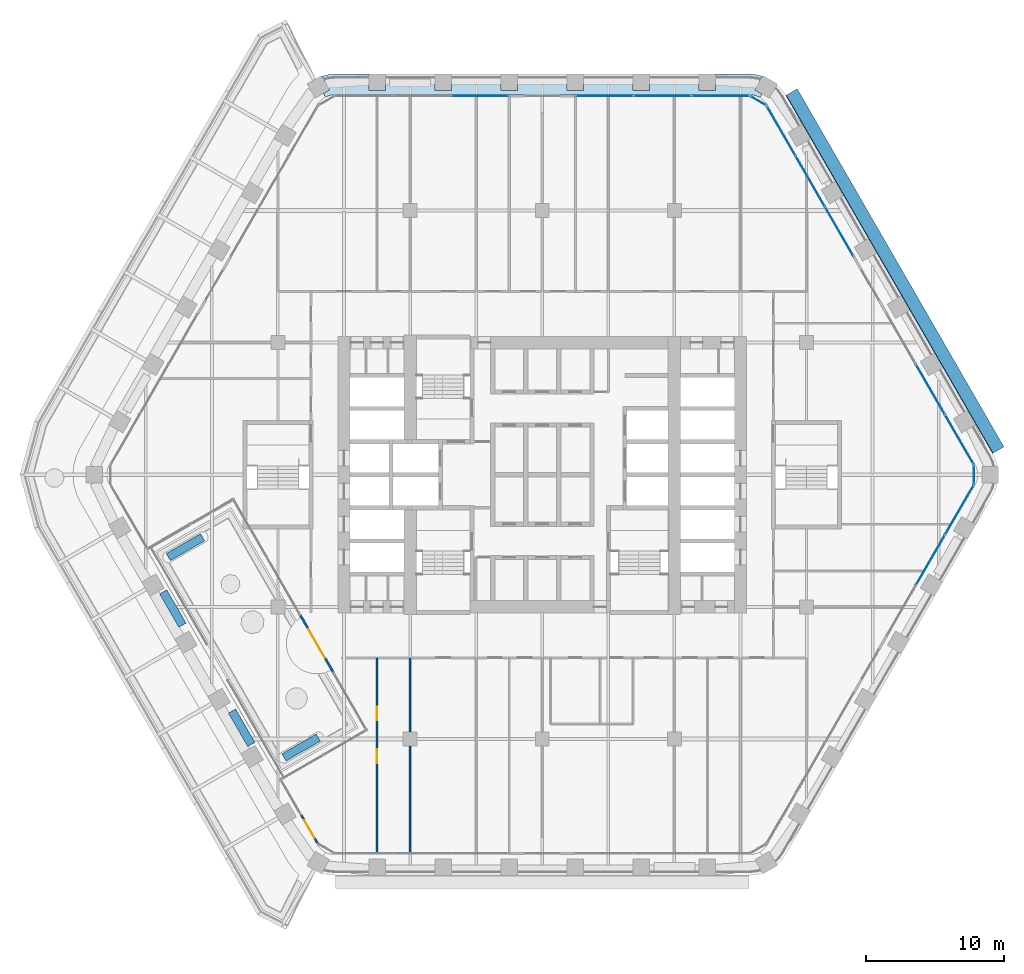
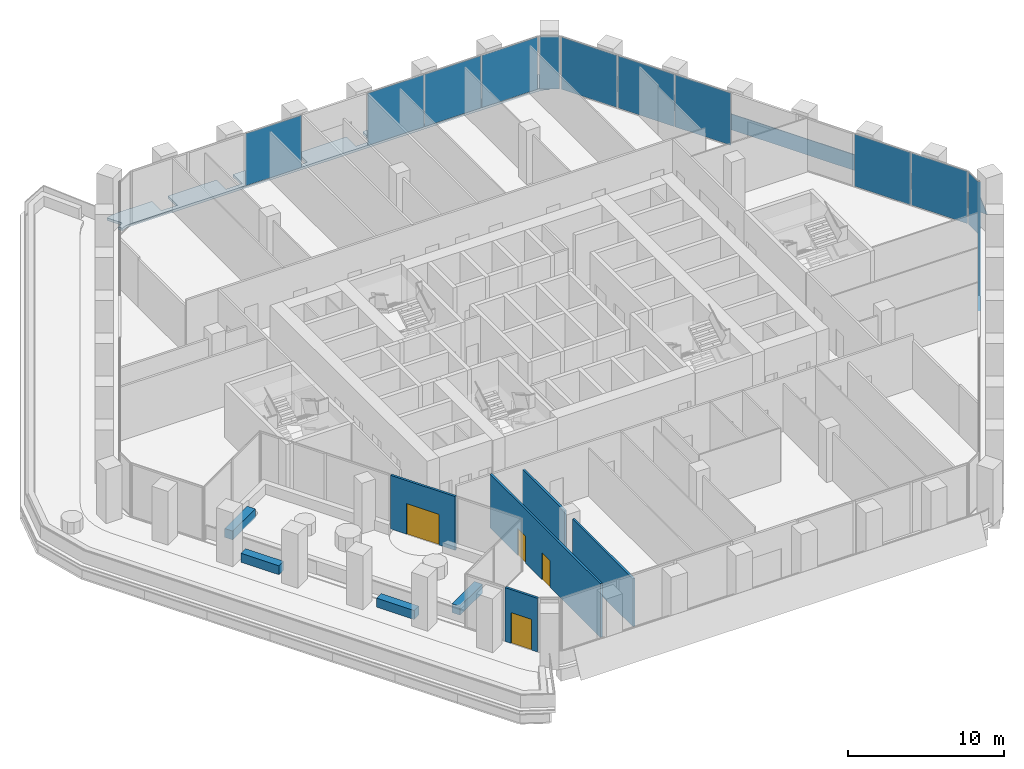
# One storey, part 14 of 27: 14 plates, 9 walls, 4 doors, 1 slab, 4 openings, 7 elements without a shape of their own.
"""IFC4 building model written with IfcOpenShell, lengths in metres."""

import ifcopenshell
import ifcopenshell.guid

model = None  # the IFC model being written
_history = None  # IfcOwnerHistory: only IFC2X3 demands one
_inside = {}  # id of a spatial element -> (the spatial element, [elements in it])
_under = {}  # id of a project, library or spatial element -> (it, [spatial elements below it])
_declared = {}  # id of a project -> (the project, [libraries it declares])
_typed = {}  # id of a type object -> (the type object, [elements of that type])
_made_of = {}  # id of a material, layer set ... -> (it, [elements and type objects made of it])


def new_model(schema):
    """Start an empty IFC model of exactly this schema.

    Asked for "IFC4X3", IfcOpenShell would pick the latest addendum, in which some entities
    have other attributes; the version numbers below select the first issue.
    IFC2X3 requires an IfcOwnerHistory on every rooted entity: one is made here for all.
    """
    global model, _history
    if schema == "IFC4X3":
        model = ifcopenshell.file(schema_version=(4, 3, 0, 0))
    else:
        model = ifcopenshell.file(schema=schema)
    _inside.clear()
    _under.clear()
    _declared.clear()
    _typed.clear()
    _made_of.clear()
    _history = None
    if model.schema == "IFC2X3":
        org = make("IfcOrganization", Name="unknown")
        user = make(
            "IfcPersonAndOrganization",
            ThePerson=make("IfcPerson", FamilyName="unknown"),
            TheOrganization=org,
        )
        app = make(
            "IfcApplication",
            ApplicationDeveloper=org,
            Version="unknown",
            ApplicationFullName="unknown",
            ApplicationIdentifier="unknown",
        )
        _history = make(
            "IfcOwnerHistory",
            OwningUser=user,
            OwningApplication=app,
            ChangeAction="ADDED",
            CreationDate=0,
        )
    return model


def make(cls, **values):
    """One entity of the class cls with the attributes given. An attribute that is None is left unset."""
    return model.create_entity(
        cls, **{name: value for name, value in values.items() if value is not None}
    )


def rooted(cls, **values):
    """An entity with a GlobalId (a new one), such as an element, a storey or a relation."""
    return make(cls, GlobalId=ifcopenshell.guid.new(), OwnerHistory=_history, **values)


def si_unit(unit_type, name, prefix=None):
    """IfcSIUnit, for example si_unit("LENGTHUNIT", "METRE", prefix="MILLI")."""
    return make("IfcSIUnit", UnitType=unit_type, Prefix=prefix, Name=name)


def assignment(units):
    """IfcUnitAssignment: the units of a project."""
    return None if units is None else make("IfcUnitAssignment", Units=units)


def point(xyz):
    """IfcCartesianPoint."""
    return None if xyz is None else make("IfcCartesianPoint", Coordinates=xyz)


def direction(xyz):
    """IfcDirection."""
    return None if xyz is None else make("IfcDirection", DirectionRatios=xyz)


def frame(location, z_axis=None, x_axis=None):
    """IfcAxis2Placement3D, a coordinate frame: its origin and axes. An axis left out is left unset."""
    return make(
        "IfcAxis2Placement3D",
        Location=point(location),
        Axis=direction(z_axis),
        RefDirection=direction(x_axis),
    )


def frame_2d(location, x_axis=None):
    """IfcAxis2Placement2D, a coordinate frame in the plane: its origin and x axis."""
    return make(
        "IfcAxis2Placement2D", Location=point(location), RefDirection=direction(x_axis)
    )


def origin():
    """The frame at (0, 0, 0) with its axes left unset."""
    return frame((0.0, 0.0, 0.0))


def origin_2d():
    """The frame at (0, 0) in the plane with its x axis left unset."""
    return frame_2d((0.0, 0.0))


def place(relative_to, where):
    """IfcLocalPlacement: puts the frame where relative to a parent placement (None: the world)."""
    return make(
        "IfcLocalPlacement", PlacementRelTo=relative_to, RelativePlacement=where
    )


def context(
    kind, dimensions, precision=None, world=None, true_north=None, identifier=None
):
    """IfcGeometricRepresentationContext, for example the 3D "Model" context."""
    return make(
        "IfcGeometricRepresentationContext",
        ContextIdentifier=identifier,
        ContextType=kind,
        CoordinateSpaceDimension=dimensions,
        Precision=precision,
        WorldCoordinateSystem=world,
        TrueNorth=true_north,
    )


def subcontext(parent, identifier, kind, view, scale=None):
    """IfcGeometricRepresentationSubContext, for example "Body" below "Model"."""
    return make(
        "IfcGeometricRepresentationSubContext",
        ContextIdentifier=identifier,
        ContextType=kind,
        ParentContext=parent,
        TargetScale=scale,
        TargetView=view,
    )


def project(units=None, contexts=None):
    """IfcProject with its units and contexts."""
    return rooted(
        "IfcProject",
        Name="project",
        RepresentationContexts=contexts,
        UnitsInContext=assignment(units),
    )


def spatial(cls, under=None, at=None, **own):
    """A site, building, storey or space (cls), placed at a placement, below another one or the project."""
    s = rooted(cls, ObjectPlacement=at, **own)
    if under is not None:
        _under.setdefault(under.id(), (under, []))[1].append(s)
    return s


def polyline(points):
    """IfcPolyline through the points."""
    return make("IfcPolyline", Points=[point(p) for p in points])


def profile(cls, at=None, kind="AREA", **sizes):
    """A parametric profile (cls). Its sizes go by their IFC names, for example OverallWidth=200.0."""
    return make(cls, ProfileType=kind, Position=at, **sizes)


def rectangle(**sizes):
    """IfcRectangleProfileDef."""
    return profile("IfcRectangleProfileDef", **sizes)


def outline(outer, holes=None, kind="AREA"):
    """IfcArbitraryClosedProfileDef: a profile drawn as a closed curve; with holes, ...WithVoids."""
    if holes is None:
        return make("IfcArbitraryClosedProfileDef", ProfileType=kind, OuterCurve=outer)
    return make(
        "IfcArbitraryProfileDefWithVoids",
        ProfileType=kind,
        OuterCurve=outer,
        InnerCurves=holes,
    )


def extrude(swept, where, along, depth):
    """IfcExtrudedAreaSolid: the profile swept, set in the frame where, extruded along a direction by depth."""
    return make(
        "IfcExtrudedAreaSolid",
        SweptArea=swept,
        Position=where,
        ExtrudedDirection=direction(along),
        Depth=depth,
    )


def shape(context_of_items, identifier, shape_type, items):
    """IfcShapeRepresentation: the items that make up one representation, for example the "Body"."""
    return make(
        "IfcShapeRepresentation",
        ContextOfItems=context_of_items,
        RepresentationIdentifier=identifier,
        RepresentationType=shape_type,
        Items=items,
    )


def material(Name=None, Category=None):
    """IfcMaterial."""
    return make("IfcMaterial", Name=Name, Category=Category)


def layer(
    of_material, thickness, ventilated=None, Name=None, Category=None, Priority=None
):
    """IfcMaterialLayer: one layer of a wall or slab, of a material (None: an air gap)."""
    return make(
        "IfcMaterialLayer",
        Material=of_material,
        LayerThickness=thickness,
        IsVentilated=ventilated,
        Name=Name,
        Category=Category,
        Priority=Priority,
    )


def layer_set(layers, Name=None):
    """IfcMaterialLayerSet."""
    return make("IfcMaterialLayerSet", MaterialLayers=layers, LayerSetName=Name)


def made_of(thing, what):
    """Note that an element or type object is made of a material, layer set ...; save() writes the relation."""
    if what is not None:
        _made_of.setdefault(what.id(), (what, []))[1].append(thing)
    return thing


def type_object(cls, material=None, **own):
    """A type object (cls), such as IfcWallType, which elements share."""
    return made_of(rooted(cls, **own), material)


def element(
    cls,
    number,
    at=None,
    inside=None,
    cuts=None,
    type_object=None,
    material=None,
    context=None,
    identifier="Body",
    shape_type=None,
    held_by="IfcProductDefinitionShape",
    body=None,
    shapes=None,
    **own,
):
    """One element of the class cls, such as IfcWall. Its Tag is "e" and its number.

    at: its placement. inside: the storey or other place that contains it. cuts: it is an
    opening in that element (IfcRelVoidsElement). A single representation is given by context,
    identifier, shape_type and body (its items); several are given by shapes. held_by: the class
    of the entity that holds the representations. save() writes the other relations.
    """
    e = rooted(cls, Tag="e%d" % number, ObjectPlacement=at, **own)
    if body is not None:
        shapes = [shape(context, identifier, shape_type, body)]
    if shapes is not None:
        e.Representation = make(held_by, Representations=shapes)
    if inside is not None:
        _inside.setdefault(inside.id(), (inside, []))[1].append(e)
    if cuts is not None:
        rooted(
            "IfcRelVoidsElement", RelatingBuildingElement=cuts, RelatedOpeningElement=e
        )
    if type_object is not None:
        _typed.setdefault(type_object.id(), (type_object, []))[1].append(e)
    return made_of(e, material)


def fill(opening, filler):
    """IfcRelFillsElement: the door or window that sits in an opening."""
    return rooted(
        "IfcRelFillsElement",
        RelatingOpeningElement=opening,
        RelatedBuildingElement=filler,
    )


def aggregate(whole, parts):
    """IfcRelAggregates: a whole, such as a stair, and the parts it consists of."""
    return rooted("IfcRelAggregates", RelatingObject=whole, RelatedObjects=parts)


def save(model, path):
    """Write the relations noted so far, then the file.

    IfcRelAggregates (storeys below a building ...), IfcRelContainedInSpatialStructure (elements
    in a storey), IfcRelDefinesByType, IfcRelAssociatesMaterial and IfcRelDeclares: one each for
    every whole, place, type object, material and project.
    """
    for whole, parts in _under.values():
        aggregate(whole, parts)
    for where, things in _inside.values():
        rooted(
            "IfcRelContainedInSpatialStructure",
            RelatedElements=things,
            RelatingStructure=where,
        )
    for kind, things in _typed.values():
        rooted("IfcRelDefinesByType", RelatedObjects=things, RelatingType=kind)
    for what, things in _made_of.values():
        rooted("IfcRelAssociatesMaterial", RelatedObjects=things, RelatingMaterial=what)
    for by, libraries in _declared.values():
        rooted("IfcRelDeclares", RelatingContext=by, RelatedDefinitions=libraries)
    model.write(path)


model = new_model("IFC4")

# Units and contexts
model_context = context("Model", 3, precision=1e-05, world=origin(), true_north=direction((0.0, 1.0)))
body_context = subcontext(model_context, "Body", "Model", "MODEL_VIEW")
ifc_project = project(units=[si_unit("LENGTHUNIT", "METRE"), si_unit("AREAUNIT", "SQUARE_METRE"), si_unit("VOLUMEUNIT", "CUBIC_METRE"), si_unit("PLANEANGLEUNIT", "RADIAN"), si_unit("MASSUNIT", "GRAM", prefix="KILO")], contexts=[model_context])

# Site, building, storey
site_placement = place(None, origin())
site = spatial("IfcSite", under=ifc_project, at=site_placement, CompositionType="ELEMENT")
building_placement = place(site_placement, origin())
building = spatial("IfcBuilding", under=site, at=building_placement, Name="Kolab Exchange Tower", CompositionType="ELEMENT")
storey_placement = place(building_placement, frame((0.0, 0.0, 122.89990234375)))
storey = spatial("IfcBuildingStorey", under=building, at=storey_placement, Name="L24", CompositionType="ELEMENT", Elevation=122.89990234375)

# Slab
ifc_material_1 = material(Name="Concrete C35/45", Category="concrete")
ifc_layer_1 = layer(ifc_material_1, 0.199951171875)
ifc_layer_set_1 = layer_set([ifc_layer_1], Name="Concrete C35/45")
slab_type = type_object("IfcSlabType", Name="LOGGIA SLAB 200", PredefinedType="FLOOR", material=ifc_layer_set_1)
slab_placement = place(storey_placement, frame((0.0, 0.0, -0.199951171875)))
element("IfcSlab", 1, at=slab_placement, inside=storey, type_object=slab_type, Name="slab/L24/loggia/0-0", PredefinedType="FLOOR", context=body_context, shape_type="SweptSolid", body=[
    extrude(outline(polyline([(15.5810546875, 27.508056640625), (15.81787109375, 27.3974609375), (15.968017578125, 27.6572265625), (15.4482421875, 27.957275390625), (16.014892578125, 28.938720703125), (15.5888671875, 29.052978515625), (15.06787109375, 29.098388671875), (12.60009765625, 29.098388671875), (12.60009765625, 27.8984375), (11.39990234375, 27.8984375), (11.39990234375, 29.098388671875), (7.800048828125, 29.098388671875), (7.800048828125, 27.8984375), (6.60009765625, 27.8984375), (6.60009765625, 29.098388671875), (3.0, 29.098388671875), (3.0, 27.8984375), (1.800048828125, 27.8984375), (1.800048828125, 29.098388671875), (-1.800048828125, 29.098388671875), (-1.800048828125, 27.8984375), (-3.0, 27.8984375), (-3.0, 29.098388671875), (-6.60009765625, 29.098388671875), (-6.60009765625, 27.8984375), (-7.800048828125, 27.8984375), (-7.800048828125, 29.098388671875), (-11.39990234375, 29.098388671875), (-11.39990234375, 27.8984375), (-12.60009765625, 27.8984375), (-12.60009765625, 29.098388671875), (-15.06787109375, 29.098388671875), (-15.5888671875, 29.052978515625), (-16.014892578125, 28.938720703125), (-15.4482421875, 27.957275390625), (-15.88916015625, 27.702880859375), (-15.7490234375, 27.4296875), (-15.5810546875, 27.508056640625), (-15.328369140625, 27.57568359375), (-15.06787109375, 27.598388671875), (15.06787109375, 27.598388671875), (15.328369140625, 27.57568359375), (15.5810546875, 27.508056640625)])), origin(), (0.0, 0.0, 1.0), 0.199951171875),
])

# Plate
ifc_material_2 = material(Name="Laminated glass, clear", Category="glass")
ifc_layer_2 = layer(ifc_material_2, 0.0400390625)
ifc_layer_set_2 = layer_set([ifc_layer_2], Name="Laminated glass, clear")
plate_type_1 = type_object("IfcPlateType", Name="OUTER SKIN LAMINATED GLASS SHEET 40", PredefinedType="SHEET", material=ifc_layer_set_2)
plate_1_placement = place(storey_placement, frame((18.52197265625, 28.034912109375, -0.73291015625), z_axis=(0.784883850033, 0.453158743345, 0.422616250619), x_axis=(0.500004833813, -0.866022612963, 0.0)))
element("IfcPlate", 2, at=plate_1_placement, inside=storey, type_object=plate_type_1, Name="Outer skin", PredefinedType="SHEET", context=body_context, shape_type="SweptSolid", body=[
    extrude(outline(polyline([(0.0, 0.0), (30.03584243718888, -8.881784197001252e-16), (30.035874890893574, -2.1846644686224357), (3.245370469279196e-05, -2.184664468622435), (0.0, 0.0)])), origin(), (0.0, 0.0, -1.0), 0.0400390625),
])

# Curtain wall, plate
ifc_material_3 = material(Name="Aluminium EN AW-6063 T6", Category="aluminium")
curtain_wall_type = type_object("IfcCurtainWallType", Name="UNITISED LOWER MID ZONE CURTAIN WALL", PredefinedType="NOTDEFINED", material=ifc_material_3)
curtain_wall_1_placement = place(storey_placement, origin())
curtain_wall_1 = element("IfcCurtainWall", 3, at=curtain_wall_1_placement, inside=storey, type_object=curtain_wall_type, Name="cw/L24/F1-1", PredefinedType="NOTDEFINED")
ifc_material_4 = material(Name="Clear insulated glazing unit", Category="glass")
ifc_layer_3 = layer(ifc_material_4, 0.02587890625)
ifc_layer_set_3 = layer_set([ifc_layer_3], Name="Clear insulated glazing unit")
plate_type_2 = type_object("IfcPlateType", Name="UNITISED LOWER MID ZONE GLASS PANEL 26", PredefinedType="CURTAIN_PANEL", material=ifc_layer_set_3)
plate_2_placement = place(storey_placement, frame((-4.5263671875, 27.5185546875, 0.06005859375), z_axis=(0.0, 0.0, 1.0), x_axis=(1.0, 0.0, 0.0)))
plate_2 = element("IfcPlate", 4, at=plate_2_placement, type_object=plate_type_2, Name="CW2 panel 3.1", PredefinedType="CURTAIN_PANEL", context=body_context, shape_type="SweptSolid", body=[
    extrude(rectangle(XDim=4.132568359375, YDim=0.02587890625, at=origin_2d()), origin(), (0.0, 0.0, 1.0), 4.080078125),
])
aggregate(curtain_wall_1, [plate_2])

# Curtain wall, plates
curtain_wall_2_placement = place(storey_placement, origin())
curtain_wall_2 = element("IfcCurtainWall", 5, at=curtain_wall_2_placement, inside=storey, type_object=curtain_wall_type, Name="cw/L24/F1-2", PredefinedType="NOTDEFINED")
plate_3_placement = place(storey_placement, frame((4.5263671875, 27.5185546875, 0.06005859375), z_axis=(0.0, 0.0, 1.0), x_axis=(1.0, 0.0, 0.0)))
plate_3 = element("IfcPlate", 6, at=plate_3_placement, type_object=plate_type_2, Name="CW2 panel 1.1", PredefinedType="CURTAIN_PANEL", context=body_context, shape_type="SweptSolid", body=[
    extrude(rectangle(XDim=4.132568359375, YDim=0.02587890625, at=origin_2d()), origin(), (0.0, 0.0, 1.0), 4.080078125),
])
plate_4_placement = place(storey_placement, frame((8.73388671875, 27.5185546875, 0.06005859375), z_axis=(0.0, 0.0, 1.0), x_axis=(1.0, 0.0, 0.0)))
plate_4 = element("IfcPlate", 7, at=plate_4_placement, type_object=plate_type_2, Name="CW2 panel 2.1", PredefinedType="CURTAIN_PANEL", context=body_context, shape_type="SweptSolid", body=[
    extrude(rectangle(XDim=4.16259765625, YDim=0.02587890625, at=origin_2d()), origin(), (0.0, 0.0, 1.0), 4.080078125),
])
plate_5_placement = place(storey_placement, frame((12.941650390625, 27.5185546875, 0.06005859375), z_axis=(0.0, 0.0, 1.0), x_axis=(1.0, 0.0, 0.0)))
plate_5 = element("IfcPlate", 8, at=plate_5_placement, type_object=plate_type_2, Name="CW2 panel 3.1", PredefinedType="CURTAIN_PANEL", context=body_context, shape_type="SweptSolid", body=[
    extrude(rectangle(XDim=4.132568359375, YDim=0.02587890625, at=origin_2d()), origin(), (0.0, 0.0, 1.0), 4.080078125),
])
aggregate(curtain_wall_2, [plate_3, plate_4, plate_5])

curtain_wall_3_placement = place(storey_placement, origin())
curtain_wall_3 = element("IfcCurtainWall", 9, at=curtain_wall_3_placement, inside=storey, type_object=curtain_wall_type, Name="cw/L24/F2-1", PredefinedType="NOTDEFINED")
plate_6_placement = place(storey_placement, frame((17.36083984375, 24.967041015625, 0.06005859375), z_axis=(0.0, 0.0, 1.0), x_axis=(0.500000017564, -0.866025393644, 0.0)))
plate_6 = element("IfcPlate", 10, at=plate_6_placement, type_object=plate_type_2, Name="CW2 panel 1.1", PredefinedType="CURTAIN_PANEL", context=body_context, shape_type="SweptSolid", body=[
    extrude(rectangle(XDim=4.132568359375, YDim=0.02587890625, at=origin_2d()), origin(), (0.0, 0.0, 1.0), 4.080078125),
])
plate_7_placement = place(storey_placement, frame((19.464599609375, 21.322998046875, 0.06005859375), z_axis=(0.0, 0.0, 1.0), x_axis=(0.500000017564, -0.866025393644, 0.0)))
plate_7 = element("IfcPlate", 11, at=plate_7_placement, type_object=plate_type_2, Name="CW2 panel 2.1", PredefinedType="CURTAIN_PANEL", context=body_context, shape_type="SweptSolid", body=[
    extrude(rectangle(XDim=4.16259765625, YDim=0.02587890625, at=origin_2d()), origin(), (0.0, 0.0, 1.0), 4.080078125),
])
plate_8_placement = place(storey_placement, frame((21.568603515625, 17.67919921875, 0.06005859375), z_axis=(0.0, 0.0, 1.0), x_axis=(0.500000017564, -0.866025393644, 0.0)))
plate_8 = element("IfcPlate", 12, at=plate_8_placement, type_object=plate_type_2, Name="CW2 panel 3.1", PredefinedType="CURTAIN_PANEL", context=body_context, shape_type="SweptSolid", body=[
    extrude(rectangle(XDim=4.132568359375, YDim=0.02587890625, at=origin_2d()), origin(), (0.0, 0.0, 1.0), 4.080078125),
])
aggregate(curtain_wall_3, [plate_6, plate_7, plate_8])

curtain_wall_4_placement = place(storey_placement, origin())
curtain_wall_4 = element("IfcCurtainWall", 13, at=curtain_wall_4_placement, inside=storey, type_object=curtain_wall_type, Name="cw/L24/F2-2", PredefinedType="NOTDEFINED")
plate_9_placement = place(storey_placement, frame((28.19873046875, 6.1953125, 0.06005859375), z_axis=(0.0, 0.0, 1.0), x_axis=(0.499999958358, -0.866025427826, 0.0)))
plate_9 = element("IfcPlate", 14, at=plate_9_placement, type_object=plate_type_2, Name="CW2 panel 2.1", PredefinedType="CURTAIN_PANEL", context=body_context, shape_type="SweptSolid", body=[
    extrude(rectangle(XDim=4.16259765625, YDim=0.02587890625, at=origin_2d()), origin(), (0.0, 0.0, 1.0), 4.080078125),
])
plate_10_placement = place(storey_placement, frame((30.302490234375, 2.551513671875, 0.06005859375), z_axis=(0.0, 0.0, 1.0), x_axis=(0.499999958358, -0.866025427826, 0.0)))
plate_10 = element("IfcPlate", 15, at=plate_10_placement, type_object=plate_type_2, Name="CW2 panel 3.1", PredefinedType="CURTAIN_PANEL", context=body_context, shape_type="SweptSolid", body=[
    extrude(rectangle(XDim=4.132568359375, YDim=0.02587890625, at=origin_2d()), origin(), (0.0, 0.0, 1.0), 4.080078125),
])
aggregate(curtain_wall_4, [plate_9, plate_10])

curtain_wall_5_placement = place(storey_placement, origin())
curtain_wall_5 = element("IfcCurtainWall", 16, at=curtain_wall_5_placement, inside=storey, type_object=curtain_wall_type, Name="cw/L24/F3-1", PredefinedType="NOTDEFINED")
plate_11_placement = place(storey_placement, frame((30.302490234375, -2.551513671875, 0.06005859375), z_axis=(0.0, 0.0, 1.0), x_axis=(-0.499999958358, -0.866025427826, 0.0)))
plate_11 = element("IfcPlate", 17, at=plate_11_placement, type_object=plate_type_2, Name="CW2 panel 1.1", PredefinedType="CURTAIN_PANEL", context=body_context, shape_type="SweptSolid", body=[
    extrude(rectangle(XDim=4.132568359375, YDim=0.02587890625, at=origin_2d()), origin(), (0.0, 0.0, 1.0), 4.080078125),
])
plate_12_placement = place(storey_placement, frame((28.19873046875, -6.1953125, 0.06005859375), z_axis=(0.0, 0.0, 1.0), x_axis=(-0.499999958358, -0.866025427826, 0.0)))
plate_12 = element("IfcPlate", 18, at=plate_12_placement, type_object=plate_type_2, Name="CW2 panel 2.1", PredefinedType="CURTAIN_PANEL", context=body_context, shape_type="SweptSolid", body=[
    extrude(rectangle(XDim=4.16259765625, YDim=0.02587890625, at=origin_2d()), origin(), (0.0, 0.0, 1.0), 4.080078125),
])
aggregate(curtain_wall_5, [plate_11, plate_12])

# Curtain wall, plate
curtain_wall_6_placement = place(storey_placement, origin())
curtain_wall_6 = element("IfcCurtainWall", 19, at=curtain_wall_6_placement, inside=storey, type_object=curtain_wall_type, Name="cw/L24/F1F2-corner", PredefinedType="NOTDEFINED")
plate_13_placement = place(storey_placement, frame((15.682861328125, 27.16357421875, 0.06005859375), z_axis=(0.0, 0.0, 1.0), x_axis=(0.866025390869, -0.50000002237, 0.0)))
plate_13 = element("IfcPlate", 20, at=plate_13_placement, type_object=plate_type_2, Name="CW2 panel 1.1", PredefinedType="CURTAIN_PANEL", context=body_context, shape_type="SweptSolid", body=[
    extrude(rectangle(XDim=1.300048828125, YDim=0.02587890625, at=origin_2d()), origin(), (0.0, 0.0, 1.0), 4.080078125),
])
aggregate(curtain_wall_6, [plate_13])

curtain_wall_7_placement = place(storey_placement, origin())
curtain_wall_7 = element("IfcCurtainWall", 21, at=curtain_wall_7_placement, inside=storey, type_object=curtain_wall_type, Name="cw/L24/F2F3-corner", PredefinedType="NOTDEFINED")
plate_14_placement = place(storey_placement, frame((31.36572265625, 0.0, 0.06005859375), z_axis=(0.0, 0.0, 1.0), x_axis=(0.0, -1.0, 0.0)))
plate_14 = element("IfcPlate", 22, at=plate_14_placement, type_object=plate_type_2, Name="CW2 panel 1.1", PredefinedType="CURTAIN_PANEL", context=body_context, shape_type="SweptSolid", body=[
    extrude(rectangle(XDim=1.300048828125, YDim=0.02587890625, at=origin_2d()), origin(), (0.0, 0.0, 1.0), 4.080078125),
])
aggregate(curtain_wall_7, [plate_14])

# Wall, opening, door
ifc_layer_4 = layer(ifc_material_3, 0.159912109375)
ifc_layer_set_4 = layer_set([ifc_layer_4], Name="Aluminium EN AW-6063 T6")
wall_type_1 = type_object("IfcWallType", Name="DOOR SURROUND WALL 160 ALUMINIUM FRAMED", PredefinedType="PARTITIONING", material=ifc_layer_set_4)
wall_1_placement = place(storey_placement, frame((-16.312744140625, -26.782470703125, 0.0), z_axis=(0.0, 0.0, 1.0), x_axis=(-0.500001309137, 0.866024647952, 0.0)))
wall_1 = element("IfcWall", 23, at=wall_1_placement, inside=storey, type_object=wall_type_1, Name="Door surround wall", PredefinedType="PARTITIONING", context=body_context, shape_type="SweptSolid", body=[
    extrude(rectangle(XDim=2.39990234375, YDim=0.159912109375, at=frame_2d((1.199951171875, 0.0))), origin(), (0.0, 0.0, 1.0), 4.2001953125),
])
opening_1_placement = place(wall_1_placement, frame((0.449951171875, 0.0, 0.0)))
opening_1 = element("IfcOpeningElement", 24, at=opening_1_placement, cuts=wall_1, Name="Opening GD2-005", PredefinedType="OPENING", context=body_context, shape_type="SweptSolid", body=[
    extrude(rectangle(XDim=1.5, YDim=2.39990234375, at=frame_2d((0.75, 1.199951171875))), frame((0.0, 0.08984375, 0.0), z_axis=(0.0, -1.0, 0.0), x_axis=(1.0, 0.0, 0.0)), (0.0, 0.0, 1.0), 0.179931640625),
])
door_type_1 = type_object("IfcDoorType", Name="LOGGIA SLIDING GLASS DOOR 1500 X 2400", OperationType="SLIDING_TO_LEFT", PredefinedType="DOOR", material=ifc_material_3)
door_1_placement = place(opening_1_placement, origin())
door_1 = element("IfcDoor", 25, at=door_1_placement, inside=storey, type_object=door_type_1, Name="Loggia door", OperationType="DOUBLE_DOOR_SLIDING", OverallHeight=2.39990234375, OverallWidth=1.5, PredefinedType="DOOR", context=body_context, shape_type="SweptSolid", body=[
    extrude(rectangle(XDim=1.5, YDim=2.39990234375, at=frame_2d((0.75, 1.199951171875))), frame((0.0, 0.02490234375, 0.0), z_axis=(0.0, -1.0, 0.0), x_axis=(1.0, 0.0, 0.0)), (0.0, 0.0, 1.0), 0.050048828125),
])
fill(opening_1, door_1)

wall_2_placement = place(storey_placement, frame((-15.19140625, -14.32470703125, 0.0), z_axis=(0.0, 0.0, 1.0), x_axis=(-0.500001003139, 0.866024824621, 0.0)))
wall_2 = element("IfcWall", 26, at=wall_2_placement, inside=storey, type_object=wall_type_1, Name="Door surround wall", PredefinedType="PARTITIONING", context=body_context, shape_type="SweptSolid", body=[
    extrude(rectangle(XDim=4.77978515625, YDim=0.159912109375, at=frame_2d((2.389892578125, 0.0))), origin(), (0.0, 0.0, 1.0), 4.2001953125),
])
opening_2_placement = place(wall_2_placement, frame((1.18994140625, 0.0, 0.0)))
opening_2 = element("IfcOpeningElement", 27, at=opening_2_placement, cuts=wall_2, Name="Opening GD1-051", PredefinedType="OPENING", context=body_context, shape_type="SweptSolid", body=[
    extrude(rectangle(XDim=2.39990234375, YDim=2.39990234375, at=frame_2d((1.199951171875, 1.199951171875))), frame((0.0, 0.08984375, 0.0), z_axis=(0.0, -1.0, 0.0), x_axis=(1.0, 0.0, 0.0)), (0.0, 0.0, 1.0), 0.179931640625),
])
door_type_2 = type_object("IfcDoorType", Name="LOGGIA SLIDING GLASS DOOR 2400 X 2400", OperationType="DOUBLE_DOOR_SINGLE_SWING", PredefinedType="DOOR", material=ifc_material_3)
door_2_placement = place(opening_2_placement, origin())
door_2 = element("IfcDoor", 28, at=door_2_placement, inside=storey, type_object=door_type_2, Name="Loggia door", OperationType="DOUBLE_DOOR_SLIDING", OverallHeight=2.39990234375, OverallWidth=2.39990234375, PredefinedType="DOOR", context=body_context, shape_type="SweptSolid", body=[
    extrude(rectangle(XDim=2.39990234375, YDim=2.39990234375, at=frame_2d((1.199951171875, 1.199951171875))), frame((0.0, 0.02490234375, 0.0), z_axis=(0.0, -1.0, 0.0), x_axis=(1.0, 0.0, 0.0)), (0.0, 0.0, 1.0), 0.050048828125),
])
fill(opening_2, door_2)

# Walls
ifc_material_5 = material(Name="Gypsum board", Category="gypsum")
ifc_layer_5 = layer(ifc_material_5, 0.14990234375)
ifc_layer_set_5 = layer_set([ifc_layer_5], Name="Gypsum board")
wall_type_2 = type_object("IfcWallType", Name="PARTITION 150 FIRE-RATED", PredefinedType="PARTITIONING", material=ifc_layer_set_5)
wall_3_placement = place(storey_placement, frame((-9.60009765625, -27.428466796875, 0.0), z_axis=(0.0, 0.0, 1.0), x_axis=(0.0, 1.0, 0.0)))
element("IfcWall", 29, at=wall_3_placement, inside=storey, type_object=wall_type_2, Name="Partition 030", PredefinedType="PARTITIONING", context=body_context, shape_type="SweptSolid", body=[
    extrude(rectangle(XDim=7.728515625, YDim=0.14990234375, at=frame_2d((3.8642578125, 0.0))), origin(), (0.0, 0.0, 1.0), 3.7431640625),
])
wall_4_placement = place(storey_placement, frame((-9.60009765625, -18.699951171875, 0.0), z_axis=(0.0, 0.0, 1.0), x_axis=(0.0, 1.0, 0.0)))
element("IfcWall", 30, at=wall_4_placement, inside=storey, type_object=wall_type_2, Name="Partition 031", PredefinedType="PARTITIONING", context=body_context, shape_type="SweptSolid", body=[
    extrude(rectangle(XDim=5.39990234375, YDim=0.14990234375, at=frame_2d((2.699951171875, 0.0))), origin(), (0.0, 0.0, 1.0), 3.7431640625),
])

# Wall, openings, doors
wall_5_placement = place(storey_placement, frame((-12.0, -27.428466796875, 0.0), z_axis=(0.0, 0.0, 1.0), x_axis=(0.0, 1.0, 0.0)))
wall_5 = element("IfcWall", 31, at=wall_5_placement, inside=storey, type_object=wall_type_2, Name="Partition 035", PredefinedType="PARTITIONING", context=body_context, shape_type="SweptSolid", body=[
    extrude(rectangle(XDim=14.12841796875, YDim=0.14990234375, at=frame_2d((7.064208984375, 0.0))), origin(), (0.0, 0.0, 1.0), 4.2001953125),
])
opening_3_placement = place(wall_5_placement, frame((6.479248046875, 0.0, 0.0)))
opening_3 = element("IfcOpeningElement", 32, at=opening_3_placement, cuts=wall_5, Name="Opening D1-340", PredefinedType="OPENING", context=body_context, shape_type="SweptSolid", body=[
    extrude(rectangle(XDim=1.0, YDim=2.10009765625, at=frame_2d((0.5, 1.050048828125))), frame((0.0, 0.0849609375, 0.0), z_axis=(0.0, -1.0, 0.0), x_axis=(1.0, 0.0, 0.0)), (0.0, 0.0, 1.0), 0.169921875),
])
opening_4_placement = place(wall_5_placement, frame((9.578857421875, 0.0, 0.0)))
opening_4 = element("IfcOpeningElement", 33, at=opening_4_placement, cuts=wall_5, Name="Opening D1-341", PredefinedType="OPENING", context=body_context, shape_type="SweptSolid", body=[
    extrude(rectangle(XDim=1.0, YDim=2.10009765625, at=frame_2d((0.5, 1.050048828125))), frame((0.0, 0.0849609375, 0.0), z_axis=(0.0, -1.0, 0.0), x_axis=(1.0, 0.0, 0.0)), (0.0, 0.0, 1.0), 0.169921875),
])
ifc_material_6 = material(Name="Steel S235", Category="steel")
door_type_3 = type_object("IfcDoorType", Name="FLUSH DOOR 1000 FD60", OperationType="SINGLE_SWING_LEFT", PredefinedType="DOOR", material=ifc_material_6)
door_3_placement = place(opening_3_placement, origin())
door_3 = element("IfcDoor", 34, at=door_3_placement, inside=storey, type_object=door_type_3, Name="Door L24-061", OperationType="SINGLE_SWING_LEFT", OverallHeight=2.10009765625, OverallWidth=1.0, PredefinedType="DOOR", context=body_context, shape_type="SweptSolid", body=[
    extrude(rectangle(XDim=1.0, YDim=2.10009765625, at=frame_2d((0.5, 1.050048828125))), frame((0.0, 0.02490234375, 0.0), z_axis=(0.0, -1.0, 0.0), x_axis=(1.0, 0.0, 0.0)), (0.0, 0.0, 1.0), 0.050048828125),
])
fill(opening_3, door_3)
door_4_placement = place(opening_4_placement, frame((1.0, 0.0, 0.0), z_axis=(0.0, 0.0, 1.0), x_axis=(-1.0, 0.0, 0.0)))
door_4 = element("IfcDoor", 35, at=door_4_placement, inside=storey, type_object=door_type_3, Name="Door L24-062", OperationType="SINGLE_SWING_RIGHT", OverallHeight=2.10009765625, OverallWidth=1.0, PredefinedType="DOOR", context=body_context, shape_type="SweptSolid", body=[
    extrude(rectangle(XDim=1.0, YDim=2.10009765625, at=frame_2d((0.5, 1.050048828125))), frame((0.0, 0.02490234375, 0.0), z_axis=(0.0, -1.0, 0.0), x_axis=(1.0, 0.0, 0.0)), (0.0, 0.0, 1.0), 0.050048828125),
])
fill(opening_4, door_4)

# Walls
ifc_material_7 = material(Name="Granite facing", Category="masonry")
ifc_layer_6 = layer(ifc_material_7, 0.0400390625)
ifc_material_8 = material(Name="Concrete C40/50 precast", Category="concrete")
ifc_layer_7 = layer(ifc_material_8, 0.56005859375)
ifc_layer_set_6 = layer_set([ifc_layer_6, ifc_layer_7], Name="Concrete C40/50 precast")
wall_type_3 = type_object("IfcWallType", Name="PLANTER BOX 600 X 700 SOIL DEPTH 550", PredefinedType="USERDEFINED", material=ifc_layer_set_6)
for number, where, z_axis, x_axis, name in (
    (36, (-16.271484375, -19.09375, 0.0), (0.0, 0.0, 1.0), (-0.865996417519, -0.500050202324, 0.0), "Planter"),
    (37, (-24.67138671875, -4.544677734375, 0.0), (0.0, 0.0, 1.0), (-0.866054314686, -0.499949921505, 0.0), "Planter"),
):
    element("IfcWall", number, at=place(storey_placement, frame(where, z_axis=z_axis, x_axis=x_axis)), inside=storey, type_object=wall_type_3, Name=name, ObjectType="PLANTER", PredefinedType="USERDEFINED", context=body_context, shape_type="SweptSolid", body=[
        extrude(rectangle(XDim=2.880126953125, YDim=0.60009765625, at=frame_2d((1.43994140625, 0.0))), origin(), (0.0, 0.0, 1.0), 0.7001953125),
    ])
wall_6_placement = place(storey_placement, frame((-22.533935546875, -17.1669921875, 0.0), z_axis=(0.0, 0.0, 1.0), x_axis=(0.49998411664, -0.866034573852, 0.0)))
element("IfcWall", 38, at=wall_6_placement, inside=storey, type_object=wall_type_3, Name="Planter", ObjectType="PLANTER", PredefinedType="USERDEFINED", context=body_context, shape_type="SweptSolid", body=[
    extrude(rectangle(XDim=2.7998046875, YDim=0.60009765625, at=frame_2d((1.39990234375, 0.0))), origin(), (0.0, 0.0, 1.0), 0.7001953125),
])
wall_7_placement = place(storey_placement, frame((-26.134033203125, -10.931640625, 0.0), z_axis=(0.0, 0.0, 1.0), x_axis=(-0.49994636267, 0.866056369097, 0.0)))
element("IfcWall", 39, at=wall_7_placement, inside=storey, type_object=wall_type_3, Name="Planter", ObjectType="PLANTER", PredefinedType="USERDEFINED", context=body_context, shape_type="SweptSolid", body=[
    extrude(rectangle(XDim=2.800048828125, YDim=0.60009765625, at=frame_2d((1.39990234375, 0.0))), origin(), (0.0, 0.0, 1.0), 0.7001953125),
])

save(model, "model.ifc")
